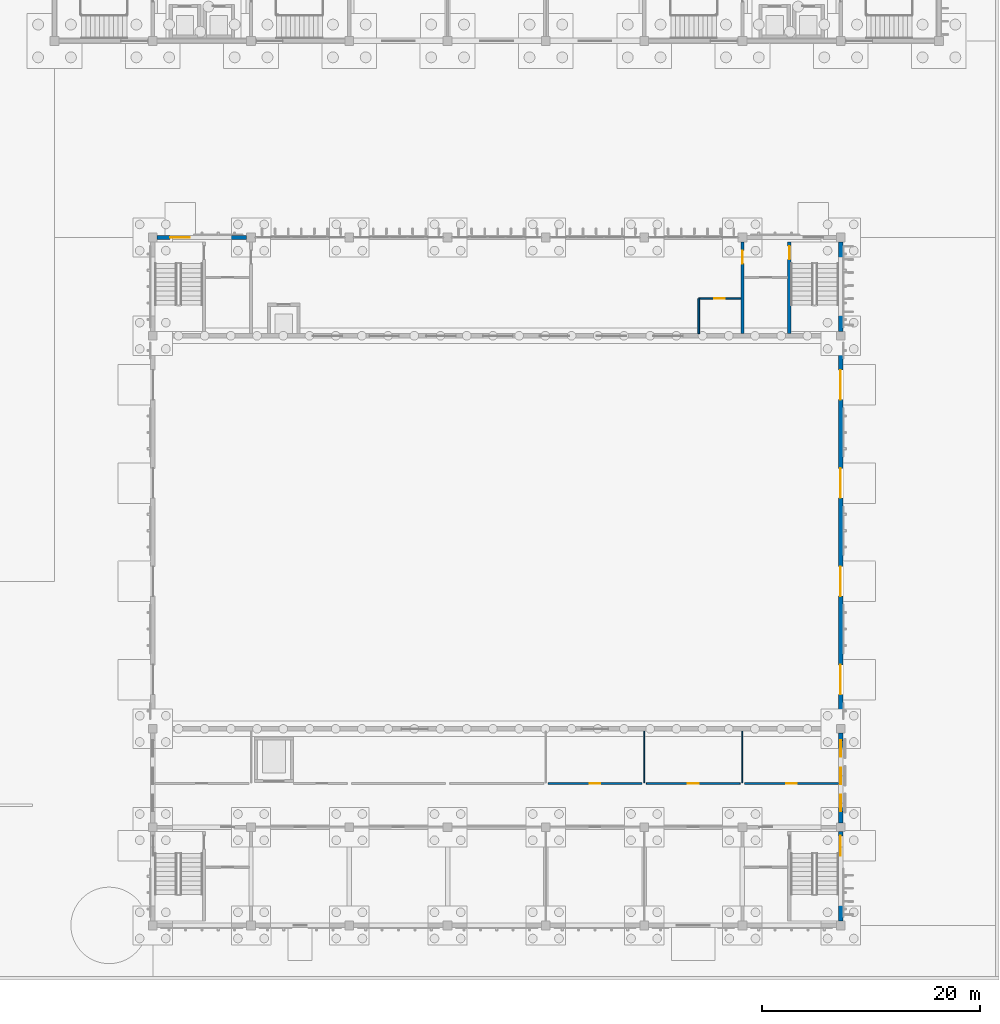
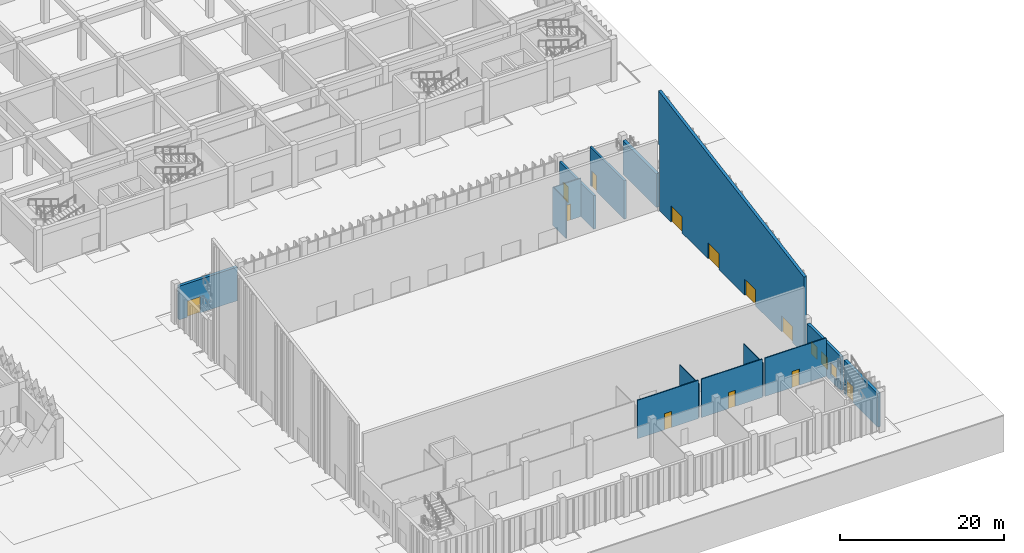
# One storey, part 100 of 198: 14 walls, 12 doors, 3 windows, 15 openings.
"""IFC4 building model written with IfcOpenShell, lengths in metres."""

from ifc_helpers import new_model, si_unit, direction, frame, frame_2d, origin, place, context, subcontext, project, spatial, polyline, rectangle, outline, extrude, material, layer, layer_set, type_object, element, fill, save


model = new_model("IFC4")

# Units and contexts
model_context = context("Model", 3, precision=1e-05, world=origin(), true_north=direction((0.0, 1.0)))
body_context = subcontext(model_context, "Body", "Model", "MODEL_VIEW")
ifc_project = project(units=[si_unit("LENGTHUNIT", "METRE"), si_unit("AREAUNIT", "SQUARE_METRE"), si_unit("VOLUMEUNIT", "CUBIC_METRE"), si_unit("PLANEANGLEUNIT", "RADIAN"), si_unit("MASSUNIT", "GRAM", prefix="KILO")], contexts=[model_context])

# Site, building, storey
site_placement = place(None, origin())
site = spatial("IfcSite", under=ifc_project, at=site_placement, CompositionType="ELEMENT")
building_placement = place(site_placement, origin())
building = spatial("IfcBuilding", under=site, at=building_placement, Name="Opaline Strait Convention Centre", CompositionType="ELEMENT")
storey_placement = place(building_placement, origin())
storey = spatial("IfcBuildingStorey", under=building, at=storey_placement, Name="L00", CompositionType="ELEMENT", Elevation=0.0)

# Wall, opening, door
ifc_material_1 = material(Name="Concrete C40", Category="concrete")
ifc_layer_1 = layer(ifc_material_1, 0.300048828125)
ifc_layer_set_1 = layer_set([ifc_layer_1], Name="Concrete C40")
wall_type_1 = type_object("IfcWallType", Name="Core enclosure wall 300 C40", PredefinedType="STANDARD", material=ifc_layer_set_1)
wall_1_placement = place(storey_placement, frame((346.300048828125, 63.199951171875, 0.0), z_axis=(0.0, 0.0, 1.0), x_axis=(0.0, 1.0, 0.0)))
wall_1 = element("IfcWall", 1, at=wall_1_placement, inside=storey, type_object=wall_type_1, Name="Stair enclosure wall L00 NE", PredefinedType="STANDARD", context=body_context, shape_type="SweptSolid", body=[
    extrude(rectangle(XDim=8.400146484375, YDim=0.300048828125, at=frame_2d((4.2001953125, 0.0))), origin(), (0.0, 0.0, 1.0), 5.719970703125),
])
opening_1_placement = place(wall_1_placement, frame((6.800048828125, 0.0, 0.0)))
opening_1 = element("IfcOpeningElement", 2, at=opening_1_placement, cuts=wall_1, Name="Opening B0-024", PredefinedType="OPENING", context=body_context, shape_type="SweptSolid", body=[
    extrude(rectangle(XDim=1.199951171875, YDim=2.39990234375, at=frame_2d((0.60009765625, 1.199951171875))), frame((0.0, 0.159912109375, 0.0), z_axis=(0.0, -1.0, 0.0), x_axis=(1.0, 0.0, 0.0)), (0.0, 0.0, 1.0), 0.320068359375),
])
ifc_material_2 = material(Name="Steel Q235B", Category="steel")
door_type_1 = type_object("IfcDoorType", Name="Single fire door FD60 1200 x 2400", OperationType="SINGLE_SWING_LEFT", PredefinedType="DOOR", material=ifc_material_2)
door_1_placement = place(opening_1_placement, origin())
door_1 = element("IfcDoor", 3, at=door_1_placement, inside=storey, type_object=door_type_1, Name="Stair door L00 NE", ObjectType="BD5", OperationType="SINGLE_SWING_LEFT", OverallHeight=2.39990234375, OverallWidth=1.199951171875, PredefinedType="DOOR", context=body_context, shape_type="SweptSolid", body=[
    extrude(rectangle(XDim=1.199951171875, YDim=2.39990234375, at=frame_2d((0.60009765625, 1.199951171875))), frame((0.0, 0.02490234375, 0.0), z_axis=(0.0, -1.0, 0.0), x_axis=(1.0, 0.0, 0.0)), (0.0, 0.0, 1.0), 0.050048828125),
])
fill(opening_1, door_1)

wall_2_placement = place(storey_placement, frame((342.0, 63.199951171875, 0.0), z_axis=(0.0, 0.0, 1.0), x_axis=(0.0, 1.0, 0.0)))
wall_2 = element("IfcWall", 4, at=wall_2_placement, inside=storey, type_object=wall_type_1, Name="Core wall L00 NE", PredefinedType="STANDARD", context=body_context, shape_type="SweptSolid", body=[
    extrude(rectangle(XDim=8.400146484375, YDim=0.300048828125, at=frame_2d((4.2001953125, 0.0))), origin(), (0.0, 0.0, 1.0), 5.02001953125),
])
opening_2_placement = place(wall_2_placement, frame((6.39990234375, 0.0, 0.0)))
opening_2 = element("IfcOpeningElement", 5, at=opening_2_placement, cuts=wall_2, Name="Opening B0-025", PredefinedType="OPENING", context=body_context, shape_type="SweptSolid", body=[
    extrude(rectangle(XDim=1.199951171875, YDim=2.39990234375, at=frame_2d((0.60009765625, 1.199951171875))), frame((0.0, 0.159912109375, 0.0), z_axis=(0.0, -1.0, 0.0), x_axis=(1.0, 0.0, 0.0)), (0.0, 0.0, 1.0), 0.320068359375),
])
door_2_placement = place(opening_2_placement, origin())
door_2 = element("IfcDoor", 6, at=door_2_placement, inside=storey, type_object=door_type_1, Name="Stair lobby door L00 NE", ObjectType="BD5", OperationType="SINGLE_SWING_LEFT", OverallHeight=2.39990234375, OverallWidth=1.199951171875, PredefinedType="DOOR", context=body_context, shape_type="SweptSolid", body=[
    extrude(rectangle(XDim=1.199951171875, YDim=2.39990234375, at=frame_2d((0.60009765625, 1.199951171875))), frame((0.0, 0.02490234375, 0.0), z_axis=(0.0, -1.0, 0.0), x_axis=(1.0, 0.0, 0.0)), (0.0, 0.0, 1.0), 0.050048828125),
])
fill(opening_2, door_2)

ifc_material_3 = material(Name="Gypsum board and steel stud partition", Category="steel")
ifc_layer_2 = layer(ifc_material_3, 0.14990234375)
ifc_layer_set_2 = layer_set([ifc_layer_2], Name="Gypsum board and steel stud partition")
wall_type_2 = type_object("IfcWallType", Name="Corridor partition 150 EI 60", PredefinedType="PARTITIONING", material=ifc_layer_set_2)
wall_3_placement = place(storey_placement, frame((324.199951171875, 22.0, 0.0), z_axis=(0.0, 0.0, 1.0), x_axis=(1.0, 0.0, 0.0)))
wall_3 = element("IfcWall", 7, at=wall_3_placement, inside=storey, type_object=wall_type_2, Name="Corridor wall L00 y22 bay 4", PredefinedType="PARTITIONING", context=body_context, shape_type="SweptSolid", body=[
    extrude(rectangle(XDim=8.60009765625, YDim=0.14990234375, at=frame_2d((4.300048828125, 0.0))), origin(), (0.0, 0.0, 1.0), 5.719970703125),
])
opening_3_placement = place(wall_3_placement, frame((3.800048828125, 0.0, 0.0)))
opening_3 = element("IfcOpeningElement", 8, at=opening_3_placement, cuts=wall_3, Name="Opening B0-033", PredefinedType="OPENING", context=body_context, shape_type="SweptSolid", body=[
    extrude(rectangle(XDim=1.0, YDim=2.39990234375, at=frame_2d((0.5, 1.199951171875))), frame((0.0, 0.0849609375, 0.0), z_axis=(0.0, -1.0, 0.0), x_axis=(1.0, 0.0, 0.0)), (0.0, 0.0, 1.0), 0.169921875),
])
door_type_2 = type_object("IfcDoorType", Name="Single fire door FD30 1000 x 2400", OperationType="SINGLE_SWING_LEFT", PredefinedType="DOOR", material=ifc_material_2)
door_3_placement = place(opening_3_placement, frame((1.0, 0.0, 0.0), z_axis=(0.0, 0.0, 1.0), x_axis=(-1.0, 0.0, 0.0)))
door_3 = element("IfcDoor", 9, at=door_3_placement, inside=storey, type_object=door_type_2, Name="Room door L00 y22 4", ObjectType="BD2", OperationType="SINGLE_SWING_RIGHT", OverallHeight=2.39990234375, OverallWidth=1.0, PredefinedType="DOOR", context=body_context, shape_type="SweptSolid", body=[
    extrude(rectangle(XDim=1.0, YDim=2.39990234375, at=frame_2d((0.5, 1.199951171875))), frame((0.0, 0.02490234375, 0.0), z_axis=(0.0, -1.0, 0.0), x_axis=(1.0, 0.0, 0.0)), (0.0, 0.0, 1.0), 0.050048828125),
])
fill(opening_3, door_3)

wall_4_placement = place(storey_placement, frame((333.199951171875, 22.0, 0.0), z_axis=(0.0, 0.0, 1.0), x_axis=(1.0, 0.0, 0.0)))
wall_4 = element("IfcWall", 10, at=wall_4_placement, inside=storey, type_object=wall_type_2, Name="Corridor wall L00 y22 bay 5", PredefinedType="PARTITIONING", context=body_context, shape_type="SweptSolid", body=[
    extrude(rectangle(XDim=8.60009765625, YDim=0.14990234375, at=frame_2d((4.300048828125, 0.0))), origin(), (0.0, 0.0, 1.0), 5.719970703125),
])
opening_4_placement = place(wall_4_placement, frame((3.800048828125, 0.0, 0.0)))
opening_4 = element("IfcOpeningElement", 11, at=opening_4_placement, cuts=wall_4, Name="Opening B0-034", PredefinedType="OPENING", context=body_context, shape_type="SweptSolid", body=[
    extrude(rectangle(XDim=1.0, YDim=2.39990234375, at=frame_2d((0.5, 1.199951171875))), frame((0.0, 0.0849609375, 0.0), z_axis=(0.0, -1.0, 0.0), x_axis=(1.0, 0.0, 0.0)), (0.0, 0.0, 1.0), 0.169921875),
])
door_4_placement = place(opening_4_placement, frame((1.0, 0.0, 0.0), z_axis=(0.0, 0.0, 1.0), x_axis=(-1.0, 0.0, 0.0)))
door_4 = element("IfcDoor", 12, at=door_4_placement, inside=storey, type_object=door_type_2, Name="Room door L00 y22 5", ObjectType="BD2", OperationType="SINGLE_SWING_RIGHT", OverallHeight=2.39990234375, OverallWidth=1.0, PredefinedType="DOOR", context=body_context, shape_type="SweptSolid", body=[
    extrude(rectangle(XDim=1.0, YDim=2.39990234375, at=frame_2d((0.5, 1.199951171875))), frame((0.0, 0.02490234375, 0.0), z_axis=(0.0, -1.0, 0.0), x_axis=(1.0, 0.0, 0.0)), (0.0, 0.0, 1.0), 0.050048828125),
])
fill(opening_4, door_4)

wall_5_placement = place(storey_placement, frame((342.199951171875, 22.0, 0.0), z_axis=(0.0, 0.0, 1.0), x_axis=(1.0, 0.0, 0.0)))
wall_5 = element("IfcWall", 13, at=wall_5_placement, inside=storey, type_object=wall_type_2, Name="Corridor wall L00 y22 bay 6", PredefinedType="PARTITIONING", context=body_context, shape_type="SweptSolid", body=[
    extrude(rectangle(XDim=8.60009765625, YDim=0.14990234375, at=frame_2d((4.300048828125, 0.0))), origin(), (0.0, 0.0, 1.0), 5.719970703125),
])
opening_5_placement = place(wall_5_placement, frame((3.800048828125, 0.0, 0.0)))
opening_5 = element("IfcOpeningElement", 14, at=opening_5_placement, cuts=wall_5, Name="Opening B0-035", PredefinedType="OPENING", context=body_context, shape_type="SweptSolid", body=[
    extrude(rectangle(XDim=1.0, YDim=2.39990234375, at=frame_2d((0.5, 1.199951171875))), frame((0.0, 0.0849609375, 0.0), z_axis=(0.0, -1.0, 0.0), x_axis=(1.0, 0.0, 0.0)), (0.0, 0.0, 1.0), 0.169921875),
])
door_5_placement = place(opening_5_placement, frame((1.0, 0.0, 0.0), z_axis=(0.0, 0.0, 1.0), x_axis=(-1.0, 0.0, 0.0)))
door_5 = element("IfcDoor", 15, at=door_5_placement, inside=storey, type_object=door_type_2, Name="Room door L00 y22 6", ObjectType="BD2", OperationType="SINGLE_SWING_RIGHT", OverallHeight=2.39990234375, OverallWidth=1.0, PredefinedType="DOOR", context=body_context, shape_type="SweptSolid", body=[
    extrude(rectangle(XDim=1.0, YDim=2.39990234375, at=frame_2d((0.5, 1.199951171875))), frame((0.0, 0.02490234375, 0.0), z_axis=(0.0, -1.0, 0.0), x_axis=(1.0, 0.0, 0.0)), (0.0, 0.0, 1.0), 0.050048828125),
])
fill(opening_5, door_5)

# Wall
wall_6_placement = place(storey_placement, frame((338.0, 63.199951171875, 0.0), z_axis=(0.0, 0.0, 1.0), x_axis=(0.0, 1.0, 0.0)))
element("IfcWall", 16, at=wall_6_placement, inside=storey, type_object=wall_type_2, Name="Accessible WC west wall", PredefinedType="PARTITIONING", context=body_context, shape_type="SweptSolid", body=[
    extrude(rectangle(XDim=3.199951171875, YDim=0.14990234375, at=frame_2d((1.60009765625, 0.0))), origin(), (0.0, 0.0, 1.0), 5.719970703125),
])

# Wall, opening, door
wall_7_placement = place(storey_placement, frame((338.0, 66.39990234375, 0.0), z_axis=(0.0, 0.0, 1.0), x_axis=(1.0, 0.0, 0.0)))
wall_7 = element("IfcWall", 17, at=wall_7_placement, inside=storey, type_object=wall_type_2, Name="Accessible WC north wall", PredefinedType="PARTITIONING", context=body_context, shape_type="SweptSolid", body=[
    extrude(rectangle(XDim=3.85009765625, YDim=0.14990234375, at=frame_2d((1.925048828125, 0.0))), origin(), (0.0, 0.0, 1.0), 5.719970703125),
])
opening_6_placement = place(wall_7_placement, frame((1.39990234375, 0.0, 0.0)))
opening_6 = element("IfcOpeningElement", 18, at=opening_6_placement, cuts=wall_7, Name="Opening B0-045", PredefinedType="OPENING", context=body_context, shape_type="SweptSolid", body=[
    extrude(rectangle(XDim=1.0, YDim=2.39990234375, at=frame_2d((0.5, 1.199951171875))), frame((0.0, 0.0849609375, 0.0), z_axis=(0.0, -1.0, 0.0), x_axis=(1.0, 0.0, 0.0)), (0.0, 0.0, 1.0), 0.169921875),
])
ifc_material_4 = material(Name="Solid timber door leaf", Category="wood")
door_type_3 = type_object("IfcDoorType", Name="Single room door 1000 x 2400", OperationType="SINGLE_SWING_LEFT", PredefinedType="DOOR", material=ifc_material_4)
door_6_placement = place(opening_6_placement, origin())
door_6 = element("IfcDoor", 19, at=door_6_placement, inside=storey, type_object=door_type_3, Name="Accessible WC door", ObjectType="BD3", OperationType="SINGLE_SWING_RIGHT", OverallHeight=2.39990234375, OverallWidth=1.0, PredefinedType="DOOR", context=body_context, shape_type="SweptSolid", body=[
    extrude(rectangle(XDim=1.0, YDim=2.39990234375, at=frame_2d((0.5, 1.199951171875))), frame((0.0, 0.02490234375, 0.0), z_axis=(0.0, -1.0, 0.0), x_axis=(1.0, 0.0, 0.0)), (0.0, 0.0, 1.0), 0.050048828125),
])
fill(opening_6, door_6)

# Wall, openings, doors
ifc_material_5 = material(Name="Concrete C40 precast", Category="concrete")
ifc_layer_3 = layer(ifc_material_5, 0.080078125)
ifc_material_6 = material(Name="Ventilated air cavity")
ifc_layer_4 = layer(ifc_material_6, 0.030029296875)
ifc_material_7 = material(Name="Mineral wool insulation")
ifc_layer_5 = layer(ifc_material_7, 0.139892578125)
ifc_material_8 = material(Name="Concrete C30", Category="concrete")
ifc_layer_6 = layer(ifc_material_8, 0.14990234375)
ifc_layer_set_3 = layer_set([ifc_layer_3, ifc_layer_4, ifc_layer_5, ifc_layer_6], Name="Concrete C40 precast, Ventilated air cavity, Mineral wool insulation, Concrete C30")
wall_type_3 = type_object("IfcWallType", Name="Precast insulated wall 400", PredefinedType="STANDARD", material=ifc_layer_set_3)
wall_8_placement = place(storey_placement, frame((351.0, 27.39990234375, 0.0), z_axis=(0.0, 0.0, 1.0), x_axis=(0.0, 1.0, 0.0)))
wall_8 = element("IfcWall", 20, at=wall_8_placement, inside=storey, type_object=wall_type_3, Name="Ballroom east wall", PredefinedType="STANDARD", context=body_context, shape_type="SweptSolid", body=[
    extrude(outline(polyline([(0.0, 0.0), (35.199951171875, 0.0), (35.199951171875, 9.75), (35.5, 9.75), (35.5, 17.707763671875), (0.0, 11.4482421875), (0.0, 0.0)])), frame((0.0, 0.199951171875, 0.0), z_axis=(0.0, -1.0, 0.0), x_axis=(1.0, 0.0, 0.0)), (0.0, 0.0, 1.0), 0.39990234375),
])
opening_7_placement = place(wall_8_placement, frame((2.75, 0.0, 0.0)))
opening_7 = element("IfcOpeningElement", 21, at=opening_7_placement, cuts=wall_8, Name="Opening B0-005", PredefinedType="OPENING", context=body_context, shape_type="SweptSolid", body=[
    extrude(rectangle(XDim=2.699951171875, YDim=2.39990234375, at=frame_2d((1.35009765625, 1.199951171875))), frame((0.0, 0.2099609375, 0.0), z_axis=(0.0, -1.0, 0.0), x_axis=(1.0, 0.0, 0.0)), (0.0, 0.0, 1.0), 0.419921875),
])
opening_8_placement = place(wall_8_placement, frame((11.75, 0.0, 0.0)))
opening_8 = element("IfcOpeningElement", 22, at=opening_8_placement, cuts=wall_8, Name="Opening B0-006", PredefinedType="OPENING", context=body_context, shape_type="SweptSolid", body=[
    extrude(rectangle(XDim=2.699951171875, YDim=2.39990234375, at=frame_2d((1.35009765625, 1.199951171875))), frame((0.0, 0.2099609375, 0.0), z_axis=(0.0, -1.0, 0.0), x_axis=(1.0, 0.0, 0.0)), (0.0, 0.0, 1.0), 0.419921875),
])
opening_9_placement = place(wall_8_placement, frame((20.75, 0.0, 0.0)))
opening_9 = element("IfcOpeningElement", 23, at=opening_9_placement, cuts=wall_8, Name="Opening B0-007", PredefinedType="OPENING", context=body_context, shape_type="SweptSolid", body=[
    extrude(rectangle(XDim=2.699951171875, YDim=2.39990234375, at=frame_2d((1.35009765625, 1.199951171875))), frame((0.0, 0.2099609375, 0.0), z_axis=(0.0, -1.0, 0.0), x_axis=(1.0, 0.0, 0.0)), (0.0, 0.0, 1.0), 0.419921875),
])
opening_10_placement = place(wall_8_placement, frame((29.75, 0.0, 0.0)))
opening_10 = element("IfcOpeningElement", 24, at=opening_10_placement, cuts=wall_8, Name="Opening B0-008", PredefinedType="OPENING", context=body_context, shape_type="SweptSolid", body=[
    extrude(rectangle(XDim=2.699951171875, YDim=2.39990234375, at=frame_2d((1.35009765625, 1.199951171875))), frame((0.0, 0.2099609375, 0.0), z_axis=(0.0, -1.0, 0.0), x_axis=(1.0, 0.0, 0.0)), (0.0, 0.0, 1.0), 0.419921875),
])
door_type_4 = type_object("IfcDoorType", Name="Hall exit double door FD90 2700 x 2400", OperationType="DOUBLE_DOOR_SINGLE_SWING", PredefinedType="DOOR", material=ifc_material_2)
door_7_placement = place(opening_7_placement, frame((2.699951171875, 0.0, 0.0), z_axis=(0.0, 0.0, 1.0), x_axis=(-1.0, 0.0, 0.0)))
door_7 = element("IfcDoor", 25, at=door_7_placement, inside=storey, type_object=door_type_4, Name="Ballroom exit door E5", ObjectType="BD8", OperationType="DOUBLE_DOOR_SINGLE_SWING", OverallHeight=2.39990234375, OverallWidth=2.699951171875, PredefinedType="DOOR", context=body_context, shape_type="SweptSolid", body=[
    extrude(rectangle(XDim=2.699951171875, YDim=2.39990234375, at=frame_2d((1.35009765625, 1.199951171875))), frame((0.0, 0.02490234375, 0.0), z_axis=(0.0, -1.0, 0.0), x_axis=(1.0, 0.0, 0.0)), (0.0, 0.0, 1.0), 0.050048828125),
])
fill(opening_7, door_7)
door_8_placement = place(opening_8_placement, frame((2.699951171875, 0.0, 0.0), z_axis=(0.0, 0.0, 1.0), x_axis=(-1.0, 0.0, 0.0)))
door_8 = element("IfcDoor", 26, at=door_8_placement, inside=storey, type_object=door_type_4, Name="Ballroom exit door E6", ObjectType="BD8", OperationType="DOUBLE_DOOR_SINGLE_SWING", OverallHeight=2.39990234375, OverallWidth=2.699951171875, PredefinedType="DOOR", context=body_context, shape_type="SweptSolid", body=[
    extrude(rectangle(XDim=2.699951171875, YDim=2.39990234375, at=frame_2d((1.35009765625, 1.199951171875))), frame((0.0, 0.02490234375, 0.0), z_axis=(0.0, -1.0, 0.0), x_axis=(1.0, 0.0, 0.0)), (0.0, 0.0, 1.0), 0.050048828125),
])
fill(opening_8, door_8)
door_9_placement = place(opening_9_placement, frame((2.699951171875, 0.0, 0.0), z_axis=(0.0, 0.0, 1.0), x_axis=(-1.0, 0.0, 0.0)))
door_9 = element("IfcDoor", 27, at=door_9_placement, inside=storey, type_object=door_type_4, Name="Ballroom exit door E7", ObjectType="BD8", OperationType="DOUBLE_DOOR_SINGLE_SWING", OverallHeight=2.39990234375, OverallWidth=2.699951171875, PredefinedType="DOOR", context=body_context, shape_type="SweptSolid", body=[
    extrude(rectangle(XDim=2.699951171875, YDim=2.39990234375, at=frame_2d((1.35009765625, 1.199951171875))), frame((0.0, 0.02490234375, 0.0), z_axis=(0.0, -1.0, 0.0), x_axis=(1.0, 0.0, 0.0)), (0.0, 0.0, 1.0), 0.050048828125),
])
fill(opening_9, door_9)
door_10_placement = place(opening_10_placement, frame((2.699951171875, 0.0, 0.0), z_axis=(0.0, 0.0, 1.0), x_axis=(-1.0, 0.0, 0.0)))
door_10 = element("IfcDoor", 28, at=door_10_placement, inside=storey, type_object=door_type_4, Name="Ballroom exit door E8", ObjectType="BD8", OperationType="DOUBLE_DOOR_SINGLE_SWING", OverallHeight=2.39990234375, OverallWidth=2.699951171875, PredefinedType="DOOR", context=body_context, shape_type="SweptSolid", body=[
    extrude(rectangle(XDim=2.699951171875, YDim=2.39990234375, at=frame_2d((1.35009765625, 1.199951171875))), frame((0.0, 0.02490234375, 0.0), z_axis=(0.0, -1.0, 0.0), x_axis=(1.0, 0.0, 0.0)), (0.0, 0.0, 1.0), 0.050048828125),
])
fill(opening_10, door_10)

# Wall, opening, door
wall_9_placement = place(storey_placement, frame((351.0, 9.39990234375, 0.0), z_axis=(0.0, 0.0, 1.0), x_axis=(0.0, 1.0, 0.0)))
wall_9 = element("IfcWall", 29, at=wall_9_placement, inside=storey, type_object=wall_type_3, Name="Ballroom east wall L00 E9", PredefinedType="STANDARD", context=body_context, shape_type="SweptSolid", body=[
    extrude(rectangle(XDim=8.2001953125, YDim=0.39990234375, at=frame_2d((4.10009765625, 0.0))), origin(), (0.0, 0.0, 1.0), 5.02001953125),
])
opening_11_placement = place(wall_9_placement, frame((6.0, 0.0, 0.0)))
opening_11 = element("IfcOpeningElement", 30, at=opening_11_placement, cuts=wall_9, Name="Opening B0-010", PredefinedType="OPENING", context=body_context, shape_type="SweptSolid", body=[
    extrude(rectangle(XDim=1.800048828125, YDim=2.39990234375, at=frame_2d((0.89990234375, 1.199951171875))), frame((0.0, 0.2099609375, 0.0), z_axis=(0.0, -1.0, 0.0), x_axis=(1.0, 0.0, 0.0)), (0.0, 0.0, 1.0), 0.419921875),
])
door_type_5 = type_object("IfcDoorType", Name="Exit double door 1800 x 2400", OperationType="DOUBLE_DOOR_SINGLE_SWING", PredefinedType="DOOR", material=ifc_material_2)
door_11_placement = place(opening_11_placement, frame((1.800048828125, 0.0, 0.0), z_axis=(0.0, 0.0, 1.0), x_axis=(-1.0, 0.0, 0.0)))
door_11 = element("IfcDoor", 31, at=door_11_placement, inside=storey, type_object=door_type_5, Name="Stair exit door SE", ObjectType="PD3", OperationType="DOUBLE_DOOR_SINGLE_SWING", OverallHeight=2.39990234375, OverallWidth=1.800048828125, PredefinedType="DOOR", context=body_context, shape_type="SweptSolid", body=[
    extrude(rectangle(XDim=1.800048828125, YDim=2.39990234375, at=frame_2d((0.89990234375, 1.199951171875))), frame((0.0, 0.02490234375, 0.0), z_axis=(0.0, -1.0, 0.0), x_axis=(1.0, 0.0, 0.0)), (0.0, 0.0, 1.0), 0.050048828125),
])
fill(opening_11, door_11)

# Wall, openings, windows
wall_10_placement = place(storey_placement, frame((351.0, 18.39990234375, 0.0), z_axis=(0.0, 0.0, 1.0), x_axis=(0.0, 1.0, 0.0)))
wall_10 = element("IfcWall", 32, at=wall_10_placement, inside=storey, type_object=wall_type_3, Name="Ballroom east wall L00 E18", PredefinedType="STANDARD", context=body_context, shape_type="SweptSolid", body=[
    extrude(rectangle(XDim=8.2001953125, YDim=0.39990234375, at=frame_2d((4.10009765625, 0.0))), origin(), (0.0, 0.0, 1.0), 5.02001953125),
])
opening_12_placement = place(wall_10_placement, frame((1.050048828125, 0.0, 0.89990234375)))
opening_12 = element("IfcOpeningElement", 33, at=opening_12_placement, cuts=wall_10, Name="Opening BV2", PredefinedType="OPENING", context=body_context, shape_type="SweptSolid", body=[
    extrude(rectangle(XDim=1.5, YDim=1.800048828125, at=frame_2d((0.75, 0.89990234375))), frame((0.0, 0.2099609375, 0.0), z_axis=(0.0, -1.0, 0.0), x_axis=(1.0, 0.0, 0.0)), (0.0, 0.0, 1.0), 0.419921875),
])
opening_13_placement = place(wall_10_placement, frame((3.550048828125, 0.0, 0.89990234375)))
opening_13 = element("IfcOpeningElement", 34, at=opening_13_placement, cuts=wall_10, Name="Opening BV2", PredefinedType="OPENING", context=body_context, shape_type="SweptSolid", body=[
    extrude(rectangle(XDim=1.5, YDim=1.800048828125, at=frame_2d((0.75, 0.89990234375))), frame((0.0, 0.2099609375, 0.0), z_axis=(0.0, -1.0, 0.0), x_axis=(1.0, 0.0, 0.0)), (0.0, 0.0, 1.0), 0.419921875),
])
opening_14_placement = place(wall_10_placement, frame((6.050048828125, 0.0, 0.89990234375)))
opening_14 = element("IfcOpeningElement", 35, at=opening_14_placement, cuts=wall_10, Name="Opening BV2", PredefinedType="OPENING", context=body_context, shape_type="SweptSolid", body=[
    extrude(rectangle(XDim=1.5, YDim=1.800048828125, at=frame_2d((0.75, 0.89990234375))), frame((0.0, 0.2099609375, 0.0), z_axis=(0.0, -1.0, 0.0), x_axis=(1.0, 0.0, 0.0)), (0.0, 0.0, 1.0), 0.419921875),
])
ifc_material_9 = material(Name="Aluminium framed double glazing", Category="aluminium")
window_type = type_object("IfcWindowType", Name="Room window 1500 x 1800", PartitioningType="SINGLE_PANEL", PredefinedType="WINDOW", material=ifc_material_9)
window_1_placement = place(opening_12_placement, origin())
window_1 = element("IfcWindow", 36, at=window_1_placement, inside=storey, type_object=window_type, Name="Window L00 E 1", OverallHeight=1.800048828125, OverallWidth=1.5, PartitioningType="SINGLE_PANEL", PredefinedType="WINDOW", context=body_context, shape_type="SweptSolid", body=[
    extrude(rectangle(XDim=1.5, YDim=1.800048828125, at=frame_2d((0.75, 0.89990234375))), frame((0.0, 0.030029296875, 0.0), z_axis=(0.0, -1.0, 0.0), x_axis=(1.0, 0.0, 0.0)), (0.0, 0.0, 1.0), 0.06005859375),
])
fill(opening_12, window_1)
window_2_placement = place(opening_13_placement, origin())
window_2 = element("IfcWindow", 37, at=window_2_placement, inside=storey, type_object=window_type, Name="Window L00 E 2", OverallHeight=1.800048828125, OverallWidth=1.5, PartitioningType="SINGLE_PANEL", PredefinedType="WINDOW", context=body_context, shape_type="SweptSolid", body=[
    extrude(rectangle(XDim=1.5, YDim=1.800048828125, at=frame_2d((0.75, 0.89990234375))), frame((0.0, 0.030029296875, 0.0), z_axis=(0.0, -1.0, 0.0), x_axis=(1.0, 0.0, 0.0)), (0.0, 0.0, 1.0), 0.06005859375),
])
fill(opening_13, window_2)
window_3_placement = place(opening_14_placement, origin())
window_3 = element("IfcWindow", 38, at=window_3_placement, inside=storey, type_object=window_type, Name="Window L00 E 3", OverallHeight=1.800048828125, OverallWidth=1.5, PartitioningType="SINGLE_PANEL", PredefinedType="WINDOW", context=body_context, shape_type="SweptSolid", body=[
    extrude(rectangle(XDim=1.5, YDim=1.800048828125, at=frame_2d((0.75, 0.89990234375))), frame((0.0, 0.030029296875, 0.0), z_axis=(0.0, -1.0, 0.0), x_axis=(1.0, 0.0, 0.0)), (0.0, 0.0, 1.0), 0.06005859375),
])
fill(opening_14, window_3)

# Wall
wall_11_placement = place(storey_placement, frame((351.0, 63.39990234375, 0.0), z_axis=(0.0, 0.0, 1.0), x_axis=(0.0, 1.0, 0.0)))
element("IfcWall", 39, at=wall_11_placement, inside=storey, type_object=wall_type_3, Name="Ballroom east wall L00 E63", PredefinedType="STANDARD", context=body_context, shape_type="SweptSolid", body=[
    extrude(rectangle(XDim=8.2001953125, YDim=0.39990234375, at=frame_2d((4.10009765625, 0.0))), origin(), (0.0, 0.0, 1.0), 5.02001953125),
])

# Wall, opening, door
wall_12_placement = place(storey_placement, frame((288.39990234375, 72.0, 0.0), z_axis=(0.0, 0.0, 1.0), x_axis=(1.0, 0.0, 0.0)))
wall_12 = element("IfcWall", 40, at=wall_12_placement, inside=storey, type_object=wall_type_3, Name="Ballroom north wall L00 core bay 1", PredefinedType="STANDARD", context=body_context, shape_type="SweptSolid", body=[
    extrude(rectangle(XDim=8.2001953125, YDim=0.39990234375, at=frame_2d((4.10009765625, 0.0))), origin(), (0.0, 0.0, 1.0), 5.02001953125),
])
opening_15_placement = place(wall_12_placement, frame((1.199951171875, 0.0, 0.0)))
opening_15 = element("IfcOpeningElement", 41, at=opening_15_placement, cuts=wall_12, Name="Opening B0-011", PredefinedType="OPENING", context=body_context, shape_type="SweptSolid", body=[
    extrude(rectangle(XDim=1.800048828125, YDim=2.39990234375, at=frame_2d((0.89990234375, 1.199951171875))), frame((0.0, 0.2099609375, 0.0), z_axis=(0.0, -1.0, 0.0), x_axis=(1.0, 0.0, 0.0)), (0.0, 0.0, 1.0), 0.419921875),
])
door_12_placement = place(opening_15_placement, origin())
door_12 = element("IfcDoor", 42, at=door_12_placement, inside=storey, type_object=door_type_5, Name="Stair exit door NW", ObjectType="PD3", OperationType="DOUBLE_DOOR_SINGLE_SWING", OverallHeight=2.39990234375, OverallWidth=1.800048828125, PredefinedType="DOOR", context=body_context, shape_type="SweptSolid", body=[
    extrude(rectangle(XDim=1.800048828125, YDim=2.39990234375, at=frame_2d((0.89990234375, 1.199951171875))), frame((0.0, 0.02490234375, 0.0), z_axis=(0.0, -1.0, 0.0), x_axis=(1.0, 0.0, 0.0)), (0.0, 0.0, 1.0), 0.050048828125),
])
fill(opening_15, door_12)

# Walls
ifc_layer_7 = layer(ifc_material_3, 0.10009765625)
ifc_layer_set_4 = layer_set([ifc_layer_7], Name="Gypsum board and steel stud partition")
wall_type_4 = type_object("IfcWallType", Name="Room partition 100 EI 45", PredefinedType="PARTITIONING", material=ifc_layer_set_4)
for number, where, z_axis, x_axis, name in (
    (43, (333.0, 22.074951171875, 0.0), (0.0, 0.0, 1.0), (0.0, 1.0, 0.0), "Room partition L00 x333 north"),
    (44, (342.0, 22.074951171875, 0.0), (0.0, 0.0, 1.0), (0.0, 1.0, 0.0), "Room partition L00 x342 north"),
):
    element("IfcWall", number, at=place(storey_placement, frame(where, z_axis=z_axis, x_axis=x_axis)), inside=storey, type_object=wall_type_4, Name=name, PredefinedType="PARTITIONING", context=body_context, shape_type="SweptSolid", body=[
        extrude(rectangle(XDim=4.72509765625, YDim=0.10009765625, at=frame_2d((2.362548828125, 0.0))), origin(), (0.0, 0.0, 1.0), 5.02001953125),
    ])

save(model, "model.ifc")
